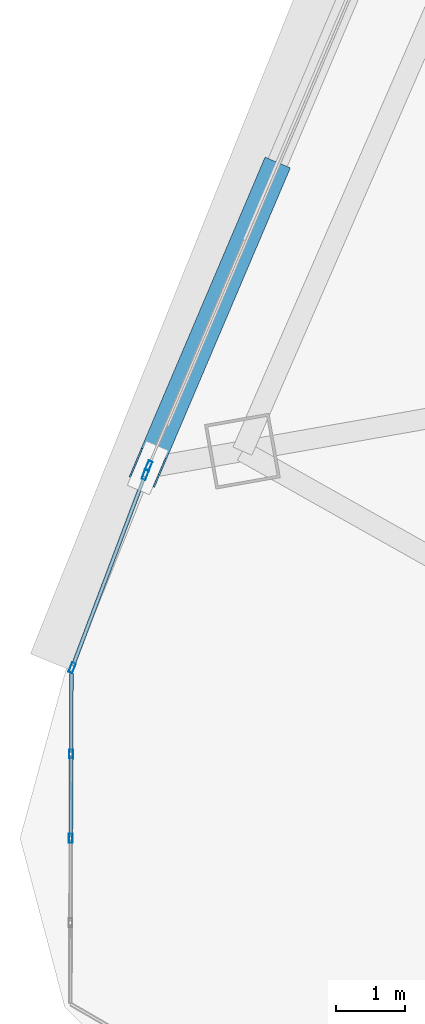
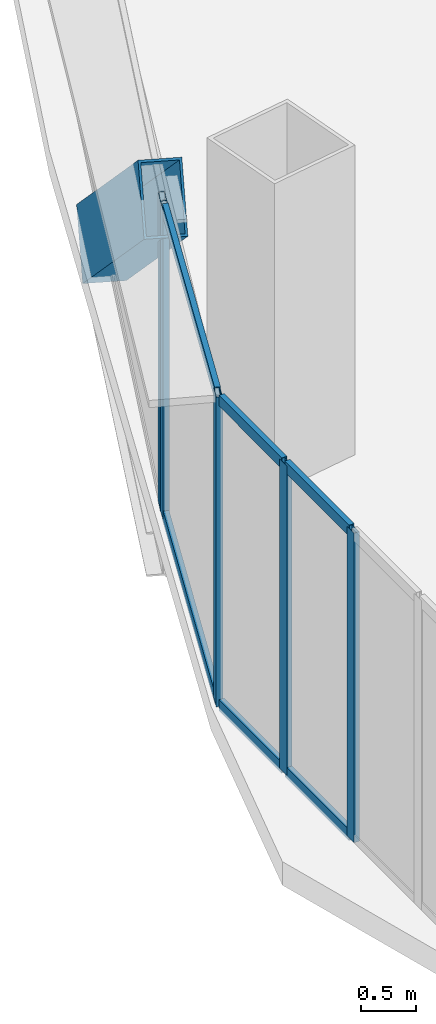
# One storey, part 4 of 41: 12 members, 3 elements without a shape of their own.
"""IFC4 building model written with IfcOpenShell, lengths in metres."""

from ifc_helpers import new_model, si_unit, direction, frame, origin, origin_2d, place, context, subcontext, project, spatial, hollow_rectangle, extrude, source, transform, mapped, material, layer, layer_set, material_profile, profile_set, type_object, element, aggregate, save


model = new_model("IFC4")

# Units and contexts
model_context = context("Model", 3, precision=1e-05, world=origin(), true_north=direction((0.0, 1.0)))
body_context = subcontext(model_context, "Body", "Model", "MODEL_VIEW")
ifc_project = project(units=[si_unit("LENGTHUNIT", "METRE"), si_unit("AREAUNIT", "SQUARE_METRE"), si_unit("VOLUMEUNIT", "CUBIC_METRE"), si_unit("PLANEANGLEUNIT", "RADIAN"), si_unit("MASSUNIT", "GRAM", prefix="KILO"), si_unit("THERMODYNAMICTEMPERATUREUNIT", "KELVIN"), si_unit("POWERUNIT", "WATT")], contexts=[model_context])

# Site, building, storey
site_placement = place(None, origin())
site = spatial("IfcSite", under=ifc_project, at=site_placement, CompositionType="ELEMENT")
building_placement = place(site_placement, origin())
building = spatial("IfcBuilding", under=site, at=building_placement, Name="Yunzhuo Pagoda Commons", CompositionType="ELEMENT")
storey_placement = place(building_placement, frame((0.0, 0.0, 155.590087890625)))
storey = spatial("IfcBuildingStorey", under=building, at=storey_placement, Name="L39", CompositionType="ELEMENT", Elevation=155.590087890625)

# Member
ifc_material_1 = material(Name="Structural steel Q355B", Category="steel")
ifc_material_profile_1 = material_profile(ifc_material_1, hollow_rectangle(XDim=0.39990234375, YDim=0.719970703125, WallThickness=0.02392578125, at=origin_2d()), Name="Structural steel Q355B")
ifc_profile_set_1 = profile_set([ifc_material_profile_1], Name="Structural steel Q355B")
member_type_1 = type_object("IfcMemberType", Name="M-DL2 Brace BOX 720x400x24", PredefinedType="BRACE", material=ifc_profile_set_1)
shared_shape_1 = source(origin(), body_context, "Body", "SweptSolid", [
    extrude(hollow_rectangle(XDim=0.39990234375, YDim=0.719970703125, WallThickness=0.02392578125, at=origin_2d()), origin(), (0.0, 0.0, 1.0), 5.883544921875),
])
member_1_placement = place(storey_placement, frame((11.4267578125, 31.15869140625, -0.260009765625), z_axis=(-0.305407668733, -0.717998490772, 0.625463286795), x_axis=(0.920211701428, -0.391421032336, 0.0)))
element("IfcMember", 1, at=member_1_placement, inside=storey, type_object=member_type_1, Name="L39 facade diamond brace F3.3R", PredefinedType="BRACE", context=body_context, shape_type="MappedRepresentation", body=[
    mapped(shared_shape_1, transform((0.0, 0.0, 0.0), scale=1.0)),
])

# Curtain wall, member
ifc_material_2 = material(Name="Anodized aluminium 6063-T6", Category="aluminium")
ifc_layer_1 = layer(ifc_material_2, 0.14990234375)
ifc_layer_set_1 = layer_set([ifc_layer_1], Name="Anodized aluminium 6063-T6")
curtain_wall_type_1 = type_object("IfcCurtainWallType", Name="CW-MID Mid-Zone Ribbon Curtain Wall", PredefinedType="NOTDEFINED", material=ifc_layer_set_1)
curtain_wall_1_placement = place(storey_placement, origin())
curtain_wall_1 = element("IfcCurtainWall", 2, at=curtain_wall_1_placement, inside=storey, type_object=curtain_wall_type_1, Name="L39 curtain wall CW-L39-F3B4", PredefinedType="NOTDEFINED")
ifc_material_profile_2 = material_profile(ifc_material_2, hollow_rectangle(XDim=0.06005859375, YDim=0.14990234375, WallThickness=0.00390625, at=origin_2d()), Name="Anodized aluminium 6063-T6")
ifc_profile_set_2 = profile_set([ifc_material_profile_2], Name="Anodized aluminium 6063-T6")
member_type_2 = type_object("IfcMemberType", Name="CW-MID-M Mullion RHS 150x60x4", PredefinedType="MULLION", material=ifc_profile_set_2)
shared_shape_2 = source(origin(), body_context, "Body", "SweptSolid", [
    extrude(hollow_rectangle(XDim=0.06005859375, YDim=0.14990234375, WallThickness=0.00390625, at=origin_2d()), origin(), (0.0, 0.0, 1.0), 3.419921875),
])
member_2_placement = place(storey_placement, frame((9.6416015625, 26.9619140625, 0.0), z_axis=(0.0, 0.0, 1.0), x_axis=(0.92021678471, -0.391409081572, 0.0)))
member_2 = element("IfcMember", 3, at=member_2_placement, type_object=member_type_2, Name="CW mullion 2", PredefinedType="MULLION", context=body_context, shape_type="MappedRepresentation", body=[
    mapped(shared_shape_2, transform((0.0, 0.0, 0.0), scale=1.0)),
])
aggregate(curtain_wall_1, [member_2])

# Curtain wall, members
curtain_wall_2_placement = place(storey_placement, origin())
curtain_wall_2 = element("IfcCurtainWall", 4, at=curtain_wall_2_placement, inside=storey, type_object=curtain_wall_type_1, Name="L39 curtain wall CW-L39-F3B5", PredefinedType="NOTDEFINED")
member_3_placement = place(storey_placement, frame((9.5927734375, 26.836181640625, 0.0), z_axis=(0.0, 0.0, 1.0), x_axis=(0.935246751482, -0.35399648846, 0.0)))
member_3 = element("IfcMember", 5, at=member_3_placement, type_object=member_type_2, Name="CW mullion 1", PredefinedType="MULLION", context=body_context, shape_type="MappedRepresentation", body=[
    mapped(shared_shape_2, transform((0.0, 0.0, 0.0), scale=1.0)),
])
member_4_placement = place(storey_placement, frame((8.53173828125, 24.032958984375, 0.0), z_axis=(0.0, 0.0, 1.0), x_axis=(0.935246751482, -0.35399648846, 0.0)))
member_4 = element("IfcMember", 6, at=member_4_placement, type_object=member_type_2, Name="CW mullion 2", PredefinedType="MULLION", context=body_context, shape_type="MappedRepresentation", body=[
    mapped(shared_shape_2, transform((0.0, 0.0, 0.0), scale=1.0)),
])

ifc_layer_2 = layer(ifc_material_2, 0.1298828125)
ifc_layer_set_2 = layer_set([ifc_layer_2], Name="Anodized aluminium 6063-T6")
curtain_wall_type_2 = type_object("IfcCurtainWallType", Name="CW-VTX Rounded Corner Curtain Wall", PredefinedType="NOTDEFINED", material=ifc_layer_set_2)
curtain_wall_3_placement = place(storey_placement, origin())
curtain_wall_3 = element("IfcCurtainWall", 7, at=curtain_wall_3_placement, inside=storey, type_object=curtain_wall_type_2, Name="L39 curtain wall CW-L39-VTX1S1", PredefinedType="NOTDEFINED")
ifc_material_profile_3 = material_profile(ifc_material_2, hollow_rectangle(XDim=0.054931640625, YDim=0.1298828125, WallThickness=0.00341796875, at=origin_2d()), Name="Anodized aluminium 6063-T6")
ifc_profile_set_3 = profile_set([ifc_material_profile_3], Name="Anodized aluminium 6063-T6")
member_type_3 = type_object("IfcMemberType", Name="CW-VTX-M Mullion RHS 130x55x3.5", PredefinedType="MULLION", material=ifc_profile_set_3)
shared_shape_3 = source(origin(), body_context, "Body", "SweptSolid", [
    extrude(hollow_rectangle(XDim=0.054931640625, YDim=0.1298828125, WallThickness=0.00341796875, at=origin_2d()), origin(), (0.0, 0.0, 1.0), 3.419921875),
])
member_5_placement = place(storey_placement, frame((8.5166015625, 22.780517578125, 0.0), z_axis=(0.0, 0.0, 1.0), x_axis=(0.999993542566, -0.00359372042, 0.0)))
member_5 = element("IfcMember", 8, at=member_5_placement, type_object=member_type_3, Name="CW mullion 2", PredefinedType="MULLION", context=body_context, shape_type="MappedRepresentation", body=[
    mapped(shared_shape_3, transform((0.0, 0.0, 0.0), scale=1.0)),
])
member_6_placement = place(storey_placement, frame((8.51220703125, 21.55615234375, 0.0), z_axis=(0.0, 0.0, 1.0), x_axis=(0.999993542566, -0.00359372042, 0.0)))
member_6 = element("IfcMember", 9, at=member_6_placement, type_object=member_type_3, Name="CW mullion 3", PredefinedType="MULLION", context=body_context, shape_type="MappedRepresentation", body=[
    mapped(shared_shape_3, transform((0.0, 0.0, 0.0), scale=1.0)),
])

# Member
ifc_material_profile_4 = material_profile(ifc_material_2, hollow_rectangle(XDim=0.054931640625, YDim=0.1298828125, WallThickness=0.00341796875, at=origin_2d()), Name="Anodized aluminium 6063-T6")
ifc_profile_set_4 = profile_set([ifc_material_profile_4], Name="Anodized aluminium 6063-T6")
member_type_4 = type_object("IfcMemberType", Name="CW-MID-T Transom RHS 130x55x3.5", PredefinedType="USERDEFINED", material=ifc_profile_set_4)
shared_shape_4 = source(origin(), body_context, "Body", "SweptSolid", [
    extrude(hollow_rectangle(XDim=0.054931640625, YDim=0.1298828125, WallThickness=0.00341796875, at=origin_2d()), origin(), (0.0, 0.0, 1.0), 2.9375),
])
member_7_placement = place(storey_placement, frame((9.58203125, 26.808349609375, 0.02734375), z_axis=(-0.353972658674, -0.935255770852, 0.0), x_axis=(0.935255770852, -0.353972658674, 0.0)))
member_7 = element("IfcMember", 10, at=member_7_placement, type_object=member_type_4, Name="CW transom 1.1", ObjectType="TRANSOM", PredefinedType="USERDEFINED", context=body_context, shape_type="MappedRepresentation", body=[
    mapped(shared_shape_4, transform((0.0, 0.0, 0.0), scale=1.0)),
])

member_8_placement = place(storey_placement, frame((9.58203125, 26.808349609375, 3.392333984375), z_axis=(-0.353972658674, -0.935255770852, 0.0), x_axis=(0.935255770852, -0.353972658674, 0.0)))
member_8 = element("IfcMember", 11, at=member_8_placement, type_object=member_type_4, Name="CW transom 1.2", ObjectType="TRANSOM", PredefinedType="USERDEFINED", context=body_context, shape_type="MappedRepresentation", body=[
    mapped(shared_shape_4, transform((0.0, 0.0, 0.0), scale=1.0)),
])

aggregate(curtain_wall_2, [member_3, member_4, member_7, member_8])

ifc_material_profile_5 = material_profile(ifc_material_2, hollow_rectangle(XDim=0.054931640625, YDim=0.1201171875, WallThickness=0.00341796875, at=origin_2d()), Name="Anodized aluminium 6063-T6")
ifc_profile_set_5 = profile_set([ifc_material_profile_5], Name="Anodized aluminium 6063-T6")
member_type_5 = type_object("IfcMemberType", Name="CW-VTX-T Transom RHS 120x55x3.5", PredefinedType="USERDEFINED", material=ifc_profile_set_5)
shared_shape_5 = source(origin(), body_context, "Body", "SweptSolid", [
    extrude(hollow_rectangle(XDim=0.054931640625, YDim=0.1201171875, WallThickness=0.00341796875, at=origin_2d()), origin(), (0.0, 0.0, 1.0), 1.141845703125),
])
member_9_placement = place(storey_placement, frame((8.520751953125, 23.94970703125, 0.02734375), z_axis=(-0.003634784627, -0.999993394149, 0.0), x_axis=(0.999993394149, -0.003634784627, 0.0)))
member_9 = element("IfcMember", 12, at=member_9_placement, type_object=member_type_5, Name="CW transom 1.1", ObjectType="TRANSOM", PredefinedType="USERDEFINED", context=body_context, shape_type="MappedRepresentation", body=[
    mapped(shared_shape_5, transform((0.0, 0.0, 0.0), scale=1.0)),
])

member_10_placement = place(storey_placement, frame((8.520751953125, 23.94970703125, 3.392333984375), z_axis=(-0.003634784627, -0.999993394149, 0.0), x_axis=(0.999993394149, -0.003634784627, 0.0)))
member_10 = element("IfcMember", 13, at=member_10_placement, type_object=member_type_5, Name="CW transom 1.2", ObjectType="TRANSOM", PredefinedType="USERDEFINED", context=body_context, shape_type="MappedRepresentation", body=[
    mapped(shared_shape_5, transform((0.0, 0.0, 0.0), scale=1.0)),
])

shared_shape_6 = source(origin(), body_context, "Body", "SweptSolid", [
    extrude(hollow_rectangle(XDim=0.054931640625, YDim=0.1201171875, WallThickness=0.00341796875, at=origin_2d()), origin(), (0.0, 0.0, 1.0), 1.16943359375),
])
member_11_placement = place(storey_placement, frame((8.5166015625, 22.7529296875, 0.02734375), z_axis=(-0.003757802278, -0.999992939436, 0.0), x_axis=(0.999992939436, -0.003757802278, 0.0)))
member_11 = element("IfcMember", 14, at=member_11_placement, type_object=member_type_5, Name="CW transom 2.1", ObjectType="TRANSOM", PredefinedType="USERDEFINED", context=body_context, shape_type="MappedRepresentation", body=[
    mapped(shared_shape_6, transform((0.0, 0.0, 0.0), scale=1.0)),
])

member_12_placement = place(storey_placement, frame((8.5166015625, 22.7529296875, 3.392333984375), z_axis=(-0.003757802278, -0.999992939436, 0.0), x_axis=(0.999992939436, -0.003757802278, 0.0)))
member_12 = element("IfcMember", 15, at=member_12_placement, type_object=member_type_5, Name="CW transom 2.2", ObjectType="TRANSOM", PredefinedType="USERDEFINED", context=body_context, shape_type="MappedRepresentation", body=[
    mapped(shared_shape_6, transform((0.0, 0.0, 0.0), scale=1.0)),
])

aggregate(curtain_wall_3, [member_5, member_6, member_9, member_10, member_11, member_12])

save(model, "model.ifc")
